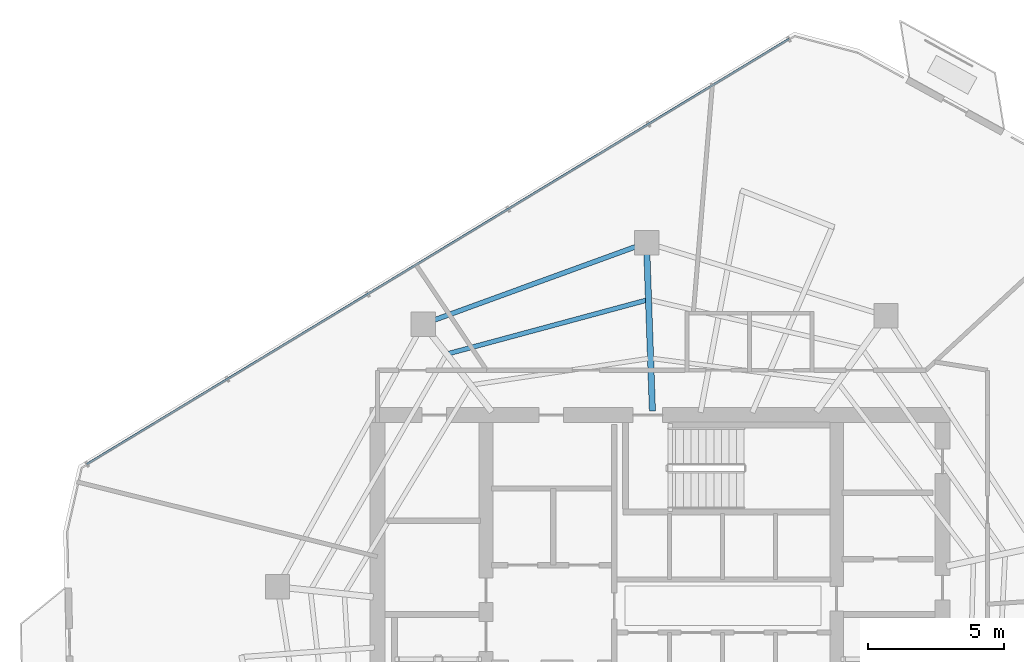
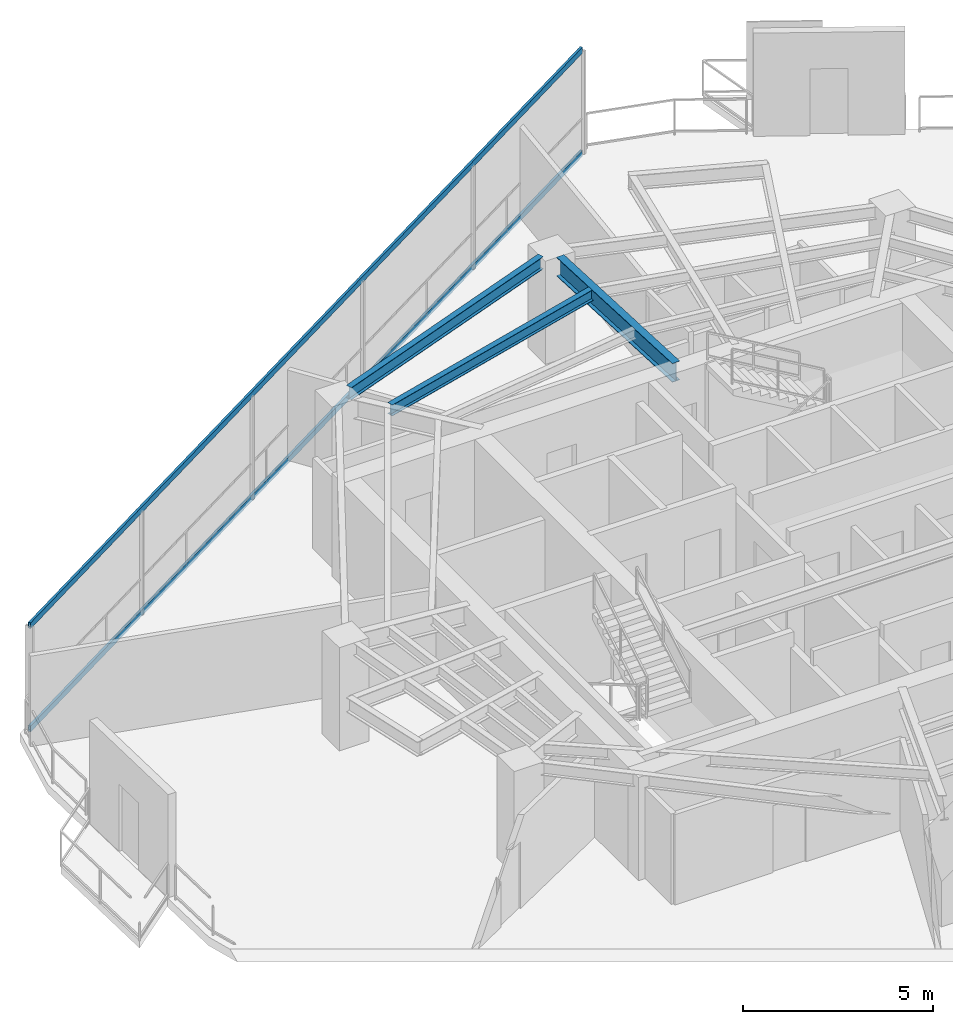
# One storey, part 11 of 19: 3 beams, 2 members, 1 element without a shape of its own.
"""IFC4 building model written with IfcOpenShell, lengths in metres."""

import ifcopenshell
import ifcopenshell.guid

model = None  # the IFC model being written
_history = None  # IfcOwnerHistory: only IFC2X3 demands one
_inside = {}  # id of a spatial element -> (the spatial element, [elements in it])
_under = {}  # id of a project, library or spatial element -> (it, [spatial elements below it])
_declared = {}  # id of a project -> (the project, [libraries it declares])
_typed = {}  # id of a type object -> (the type object, [elements of that type])
_made_of = {}  # id of a material, layer set ... -> (it, [elements and type objects made of it])


def new_model(schema):
    """Start an empty IFC model of exactly this schema.

    Asked for "IFC4X3", IfcOpenShell would pick the latest addendum, in which some entities
    have other attributes; the version numbers below select the first issue.
    IFC2X3 requires an IfcOwnerHistory on every rooted entity: one is made here for all.
    """
    global model, _history
    if schema == "IFC4X3":
        model = ifcopenshell.file(schema_version=(4, 3, 0, 0))
    else:
        model = ifcopenshell.file(schema=schema)
    _inside.clear()
    _under.clear()
    _declared.clear()
    _typed.clear()
    _made_of.clear()
    _history = None
    if model.schema == "IFC2X3":
        org = make("IfcOrganization", Name="unknown")
        user = make(
            "IfcPersonAndOrganization",
            ThePerson=make("IfcPerson", FamilyName="unknown"),
            TheOrganization=org,
        )
        app = make(
            "IfcApplication",
            ApplicationDeveloper=org,
            Version="unknown",
            ApplicationFullName="unknown",
            ApplicationIdentifier="unknown",
        )
        _history = make(
            "IfcOwnerHistory",
            OwningUser=user,
            OwningApplication=app,
            ChangeAction="ADDED",
            CreationDate=0,
        )
    return model


def make(cls, **values):
    """One entity of the class cls with the attributes given. An attribute that is None is left unset."""
    return model.create_entity(
        cls, **{name: value for name, value in values.items() if value is not None}
    )


def rooted(cls, **values):
    """An entity with a GlobalId (a new one), such as an element, a storey or a relation."""
    return make(cls, GlobalId=ifcopenshell.guid.new(), OwnerHistory=_history, **values)


def si_unit(unit_type, name, prefix=None):
    """IfcSIUnit, for example si_unit("LENGTHUNIT", "METRE", prefix="MILLI")."""
    return make("IfcSIUnit", UnitType=unit_type, Prefix=prefix, Name=name)


def assignment(units):
    """IfcUnitAssignment: the units of a project."""
    return None if units is None else make("IfcUnitAssignment", Units=units)


def point(xyz):
    """IfcCartesianPoint."""
    return None if xyz is None else make("IfcCartesianPoint", Coordinates=xyz)


def direction(xyz):
    """IfcDirection."""
    return None if xyz is None else make("IfcDirection", DirectionRatios=xyz)


def frame(location, z_axis=None, x_axis=None):
    """IfcAxis2Placement3D, a coordinate frame: its origin and axes. An axis left out is left unset."""
    return make(
        "IfcAxis2Placement3D",
        Location=point(location),
        Axis=direction(z_axis),
        RefDirection=direction(x_axis),
    )


def frame_2d(location, x_axis=None):
    """IfcAxis2Placement2D, a coordinate frame in the plane: its origin and x axis."""
    return make(
        "IfcAxis2Placement2D", Location=point(location), RefDirection=direction(x_axis)
    )


def origin():
    """The frame at (0, 0, 0) with its axes left unset."""
    return frame((0.0, 0.0, 0.0))


def origin_2d():
    """The frame at (0, 0) in the plane with its x axis left unset."""
    return frame_2d((0.0, 0.0))


def place(relative_to, where):
    """IfcLocalPlacement: puts the frame where relative to a parent placement (None: the world)."""
    return make(
        "IfcLocalPlacement", PlacementRelTo=relative_to, RelativePlacement=where
    )


def context(
    kind, dimensions, precision=None, world=None, true_north=None, identifier=None
):
    """IfcGeometricRepresentationContext, for example the 3D "Model" context."""
    return make(
        "IfcGeometricRepresentationContext",
        ContextIdentifier=identifier,
        ContextType=kind,
        CoordinateSpaceDimension=dimensions,
        Precision=precision,
        WorldCoordinateSystem=world,
        TrueNorth=true_north,
    )


def subcontext(parent, identifier, kind, view, scale=None):
    """IfcGeometricRepresentationSubContext, for example "Body" below "Model"."""
    return make(
        "IfcGeometricRepresentationSubContext",
        ContextIdentifier=identifier,
        ContextType=kind,
        ParentContext=parent,
        TargetScale=scale,
        TargetView=view,
    )


def project(units=None, contexts=None):
    """IfcProject with its units and contexts."""
    return rooted(
        "IfcProject",
        Name="project",
        RepresentationContexts=contexts,
        UnitsInContext=assignment(units),
    )


def spatial(cls, under=None, at=None, **own):
    """A site, building, storey or space (cls), placed at a placement, below another one or the project."""
    s = rooted(cls, ObjectPlacement=at, **own)
    if under is not None:
        _under.setdefault(under.id(), (under, []))[1].append(s)
    return s


def profile(cls, at=None, kind="AREA", **sizes):
    """A parametric profile (cls). Its sizes go by their IFC names, for example OverallWidth=200.0."""
    return make(cls, ProfileType=kind, Position=at, **sizes)


def hollow_rectangle(**sizes):
    """IfcRectangleHollowProfileDef."""
    return profile("IfcRectangleHollowProfileDef", **sizes)


def i_section(**sizes):
    """IfcIShapeProfileDef."""
    return profile("IfcIShapeProfileDef", **sizes)


def extrude(swept, where, along, depth):
    """IfcExtrudedAreaSolid: the profile swept, set in the frame where, extruded along a direction by depth."""
    return make(
        "IfcExtrudedAreaSolid",
        SweptArea=swept,
        Position=where,
        ExtrudedDirection=direction(along),
        Depth=depth,
    )


def shape(context_of_items, identifier, shape_type, items):
    """IfcShapeRepresentation: the items that make up one representation, for example the "Body"."""
    return make(
        "IfcShapeRepresentation",
        ContextOfItems=context_of_items,
        RepresentationIdentifier=identifier,
        RepresentationType=shape_type,
        Items=items,
    )


def material(Name=None, Category=None):
    """IfcMaterial."""
    return make("IfcMaterial", Name=Name, Category=Category)


def layer(
    of_material, thickness, ventilated=None, Name=None, Category=None, Priority=None
):
    """IfcMaterialLayer: one layer of a wall or slab, of a material (None: an air gap)."""
    return make(
        "IfcMaterialLayer",
        Material=of_material,
        LayerThickness=thickness,
        IsVentilated=ventilated,
        Name=Name,
        Category=Category,
        Priority=Priority,
    )


def layer_set(layers, Name=None):
    """IfcMaterialLayerSet."""
    return make("IfcMaterialLayerSet", MaterialLayers=layers, LayerSetName=Name)


def material_profile(
    of_material, cross_section, Name=None, Category=None, Priority=None
):
    """IfcMaterialProfile: a cross section and its material."""
    return make(
        "IfcMaterialProfile",
        Name=Name,
        Material=of_material,
        Profile=cross_section,
        Priority=Priority,
        Category=Category,
    )


def profile_set(profiles, Name=None, composite=None):
    """IfcMaterialProfileSet."""
    return make(
        "IfcMaterialProfileSet",
        Name=Name,
        MaterialProfiles=profiles,
        CompositeProfile=composite,
    )


def made_of(thing, what):
    """Note that an element or type object is made of a material, layer set ...; save() writes the relation."""
    if what is not None:
        _made_of.setdefault(what.id(), (what, []))[1].append(thing)
    return thing


def type_object(cls, material=None, **own):
    """A type object (cls), such as IfcWallType, which elements share."""
    return made_of(rooted(cls, **own), material)


def element(
    cls,
    number,
    at=None,
    inside=None,
    cuts=None,
    type_object=None,
    material=None,
    context=None,
    identifier="Body",
    shape_type=None,
    held_by="IfcProductDefinitionShape",
    body=None,
    shapes=None,
    **own,
):
    """One element of the class cls, such as IfcWall. Its Tag is "e" and its number.

    at: its placement. inside: the storey or other place that contains it. cuts: it is an
    opening in that element (IfcRelVoidsElement). A single representation is given by context,
    identifier, shape_type and body (its items); several are given by shapes. held_by: the class
    of the entity that holds the representations. save() writes the other relations.
    """
    e = rooted(cls, Tag="e%d" % number, ObjectPlacement=at, **own)
    if body is not None:
        shapes = [shape(context, identifier, shape_type, body)]
    if shapes is not None:
        e.Representation = make(held_by, Representations=shapes)
    if inside is not None:
        _inside.setdefault(inside.id(), (inside, []))[1].append(e)
    if cuts is not None:
        rooted(
            "IfcRelVoidsElement", RelatingBuildingElement=cuts, RelatedOpeningElement=e
        )
    if type_object is not None:
        _typed.setdefault(type_object.id(), (type_object, []))[1].append(e)
    return made_of(e, material)


def aggregate(whole, parts):
    """IfcRelAggregates: a whole, such as a stair, and the parts it consists of."""
    return rooted("IfcRelAggregates", RelatingObject=whole, RelatedObjects=parts)


def save(model, path):
    """Write the relations noted so far, then the file.

    IfcRelAggregates (storeys below a building ...), IfcRelContainedInSpatialStructure (elements
    in a storey), IfcRelDefinesByType, IfcRelAssociatesMaterial and IfcRelDeclares: one each for
    every whole, place, type object, material and project.
    """
    for whole, parts in _under.values():
        aggregate(whole, parts)
    for where, things in _inside.values():
        rooted(
            "IfcRelContainedInSpatialStructure",
            RelatedElements=things,
            RelatingStructure=where,
        )
    for kind, things in _typed.values():
        rooted("IfcRelDefinesByType", RelatedObjects=things, RelatingType=kind)
    for what, things in _made_of.values():
        rooted("IfcRelAssociatesMaterial", RelatedObjects=things, RelatingMaterial=what)
    for by, libraries in _declared.values():
        rooted("IfcRelDeclares", RelatingContext=by, RelatedDefinitions=libraries)
    model.write(path)


model = new_model("IFC4")

# Units and contexts
model_context = context("Model", 3, precision=1e-05, world=origin(), true_north=direction((0.0, 1.0)))
body_context = subcontext(model_context, "Body", "Model", "MODEL_VIEW")
ifc_project = project(units=[si_unit("LENGTHUNIT", "METRE"), si_unit("AREAUNIT", "SQUARE_METRE"), si_unit("VOLUMEUNIT", "CUBIC_METRE"), si_unit("PLANEANGLEUNIT", "RADIAN"), si_unit("MASSUNIT", "GRAM", prefix="KILO")], contexts=[model_context])

# Site, building, storey
site_placement = place(None, origin())
site = spatial("IfcSite", under=ifc_project, at=site_placement, CompositionType="ELEMENT")
building_placement = place(site_placement, origin())
building = spatial("IfcBuilding", under=site, at=building_placement, Name="Qarnah Convention Tower", CompositionType="ELEMENT")
storey_placement = place(building_placement, frame((0.0, 0.0, 184.199951171875)))
storey = spatial("IfcBuildingStorey", under=building, at=storey_placement, Name="L49", CompositionType="ELEMENT", Elevation=184.199951171875)

# Beams
ifc_material_1 = material(Name="Structural steel S355JR", Category="steel")
ifc_material_profile_1 = material_profile(ifc_material_1, i_section(OverallWidth=0.172119140625, OverallDepth=0.35595703125, WebThickness=0.007080078125, FlangeThickness=0.011962890625, at=origin_2d()), Name="W360X51")
ifc_profile_set_1 = profile_set([ifc_material_profile_1], Name="Structural steel S355JR")
beam_type_1 = type_object("IfcBeamType", Name="BM-JST-W360", PredefinedType="JOIST", material=ifc_profile_set_1)
beam_1_placement = place(storey_placement, frame((36.69189453125, 38.425048828125, 3.14208984375), z_axis=(-0.965438568588, -0.260630716308, 0.0), x_axis=(0.260630716308, -0.965438568588, 0.0)))
element("IfcBeam", 1, at=beam_1_placement, inside=storey, type_object=beam_type_1, Name="L49 joist BM-L49-SJST-03", PredefinedType="JOIST", context=body_context, shape_type="SweptSolid", body=[
    extrude(i_section(OverallWidth=0.172119140625, OverallDepth=0.35595703125, WebThickness=0.007080078125, FlangeThickness=0.011962890625, at=origin_2d()), origin(), (0.0, 0.0, 1.0), 7.5126953125),
])
ifc_material_profile_2 = material_profile(ifc_material_1, i_section(OverallWidth=0.22802734375, OverallDepth=0.60791015625, WebThickness=0.010986328125, FlangeThickness=0.01708984375, at=origin_2d()), Name="W610X113")
ifc_profile_set_2 = profile_set([ifc_material_profile_2], Name="Structural steel S355JR")
beam_type_2 = type_object("IfcBeamType", Name="BM-RAD-W610B", PredefinedType="BEAM", material=ifc_profile_set_2)
beam_2_placement = place(storey_placement, frame((36.923095703125, 34.35009765625, 3.01611328125), z_axis=(-0.035067624348, 0.999384941713, 0.0), x_axis=(-0.999384941713, -0.035067624348, 0.0)))
element("IfcBeam", 2, at=beam_2_placement, inside=storey, type_object=beam_type_2, Name="L49 beam BM-L49-RAD-03", PredefinedType="BEAM", context=body_context, shape_type="SweptSolid", body=[
    extrude(i_section(OverallWidth=0.22802734375, OverallDepth=0.60791015625, WebThickness=0.010986328125, FlangeThickness=0.01708984375, at=origin_2d()), origin(), (0.0, 0.0, 1.0), 5.7646484375),
])
ifc_material_profile_3 = material_profile(ifc_material_1, i_section(OverallWidth=0.179931640625, OverallDepth=0.39990234375, WebThickness=0.009033203125, FlangeThickness=0.013916015625, at=origin_2d()), Name="IPE400")
ifc_profile_set_3 = profile_set([ifc_material_profile_3], Name="Structural steel S355JR")
beam_type_3 = type_object("IfcBeamType", Name="BM-SPN-IPE400", PredefinedType="SPANDREL", material=ifc_profile_set_3)
beam_3_placement = place(storey_placement, frame((36.29296875, 40.39111328125, 3.1201171875), z_axis=(-0.939665594936, -0.342094387112, 0.0), x_axis=(0.342094387112, -0.939665594936, 0.0)))
element("IfcBeam", 3, at=beam_3_placement, inside=storey, type_object=beam_type_3, Name="L49 spandrel BM-L49-SPN-03", PredefinedType="SPANDREL", context=body_context, shape_type="SweptSolid", body=[
    extrude(i_section(OverallWidth=0.179931640625, OverallDepth=0.39990234375, WebThickness=0.009033203125, FlangeThickness=0.013916015625, at=origin_2d()), origin(), (0.0, 0.0, 1.0), 7.86669921875),
])

# Curtain wall, members
ifc_material_2 = material(Name="Tempered Low-E dark glass", Category="glass")
ifc_layer = layer(ifc_material_2, 0.174072265625)
ifc_layer_set = layer_set([ifc_layer], Name="Tempered Low-E dark glass")
curtain_wall_type = type_object("IfcCurtainWallType", Name="CWS-04", PredefinedType="NOTDEFINED", material=ifc_layer_set)
curtain_wall_placement = place(storey_placement, origin())
curtain_wall = element("IfcCurtainWall", 4, at=curtain_wall_placement, inside=storey, type_object=curtain_wall_type, Name="L49 unitised curtain wall CW-L49-F2", PredefinedType="NOTDEFINED")
ifc_material_3 = material(Name="Black anodised aluminium", Category="aluminium")
ifc_material_profile_4 = material_profile(ifc_material_3, hollow_rectangle(XDim=0.074951171875, YDim=0.18994140625, WallThickness=0.0048828125, at=origin_2d()), Name="TRN-75X190")
ifc_profile_set_4 = profile_set([ifc_material_profile_4], Name="Black anodised aluminium")
member_type = type_object("IfcMemberType", Name="TRN-T4", PredefinedType="USERDEFINED", material=ifc_profile_set_4)
member_1_placement = place(storey_placement, frame((16.12109375, 32.39892578125, 0.0), z_axis=(0.855384943961, 0.51799285482, 0.0), x_axis=(-0.51799285482, 0.855384943961, 0.0)))
member_1 = element("IfcMember", 5, at=member_1_placement, type_object=member_type, Name="CW-L49-F2 transom 1", ObjectType="TRANSOM", PredefinedType="USERDEFINED", context=body_context, shape_type="SweptSolid", body=[
    extrude(hollow_rectangle(XDim=0.074951171875, YDim=0.18994140625, WallThickness=0.0048828125, at=origin_2d()), origin(), (0.0, 0.0, 1.0), 30.1875),
])
member_2_placement = place(storey_placement, frame((16.12109375, 32.39892578125, 3.320068359375), z_axis=(0.855384943961, 0.51799285482, 0.0), x_axis=(-0.51799285482, 0.855384943961, 0.0)))
member_2 = element("IfcMember", 6, at=member_2_placement, type_object=member_type, Name="CW-L49-F2 transom 2", ObjectType="TRANSOM", PredefinedType="USERDEFINED", context=body_context, shape_type="SweptSolid", body=[
    extrude(hollow_rectangle(XDim=0.074951171875, YDim=0.18994140625, WallThickness=0.0048828125, at=origin_2d()), origin(), (0.0, 0.0, 1.0), 30.1875),
])
aggregate(curtain_wall, [member_1, member_2])

save(model, "model.ifc")
